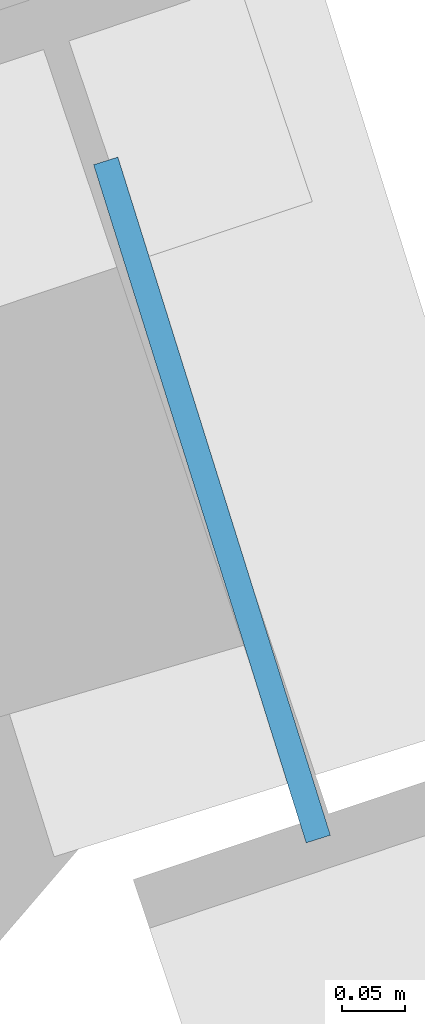
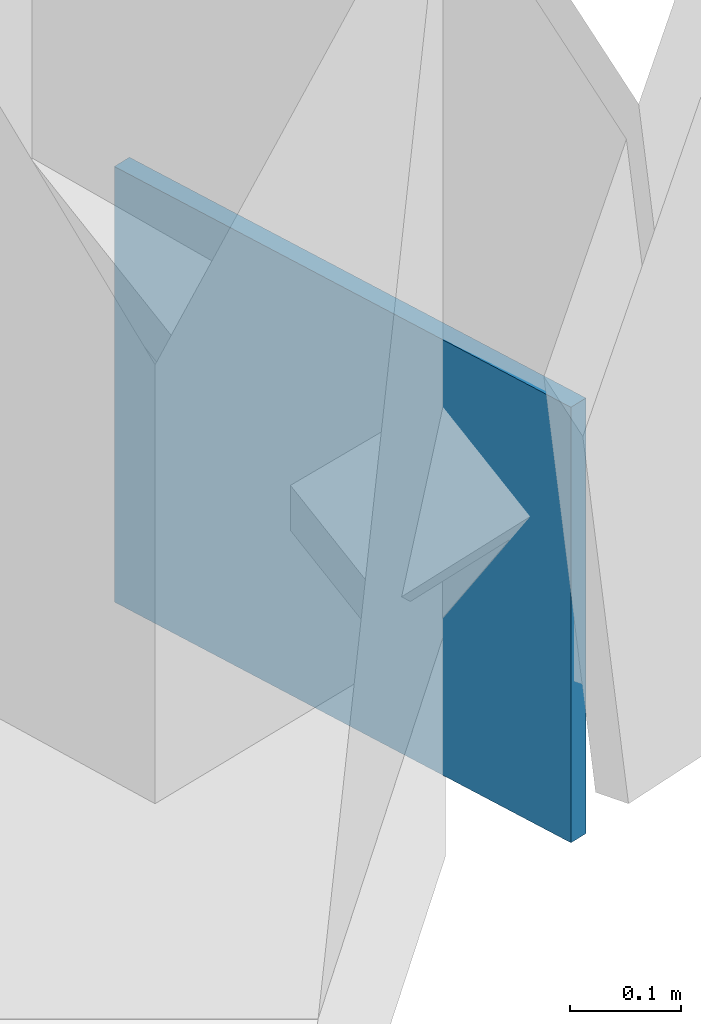
# One storey, part 10 of 19: 1 plate.
"""IFC4 building model written with IfcOpenShell, lengths in metres."""

from ifc_helpers import new_model, si_unit, direction, frame, origin, origin_2d, place, context, subcontext, project, spatial, rectangle, extrude, source, transform, mapped, material, type_object, element, save


model = new_model("IFC4")

# Units and contexts
model_context = context("Model", 3, precision=1e-05, world=origin(), true_north=direction((0.0, 1.0)))
body_context = subcontext(model_context, "Body", "Model", "MODEL_VIEW")
ifc_project = project(units=[si_unit("LENGTHUNIT", "METRE"), si_unit("AREAUNIT", "SQUARE_METRE"), si_unit("VOLUMEUNIT", "CUBIC_METRE"), si_unit("PLANEANGLEUNIT", "RADIAN"), si_unit("MASSUNIT", "GRAM", prefix="KILO")], contexts=[model_context])

# Site, building, storey
site_placement = place(None, origin())
site = spatial("IfcSite", under=ifc_project, at=site_placement, CompositionType="ELEMENT")
building_placement = place(site_placement, origin())
building = spatial("IfcBuilding", under=site, at=building_placement, Name="Olszyna Solenne Hotel", CompositionType="ELEMENT")
storey_placement = place(building_placement, frame((0.0, 0.0, 102.14990234375)))
storey = spatial("IfcBuildingStorey", under=building, at=storey_placement, Name="L26", CompositionType="ELEMENT", Elevation=102.14990234375)

# Plate
ifc_material = material(Name="Steel S355J2", Category="steel")
plate_type = type_object("IfcPlateType", Name="GP-ND2", PredefinedType="USERDEFINED", material=ifc_material)
shared_shape = source(origin(), body_context, "Body", "SweptSolid", [
    extrude(rectangle(XDim=0.56005859375, YDim=0.02001953125, at=origin_2d()), origin(), (0.0, 0.0, 1.0), 0.47998046875),
])
plate_placement = place(storey_placement, frame((67.376708984375, 33.3974609375, -0.153076171875), z_axis=(0.0, 0.0, 1.0), x_axis=(-0.299040792256, 0.954240328516, 0.0)))
element("IfcPlate", 1, at=plate_placement, inside=storey, type_object=plate_type, Name="Brace end connection gusset plate GP-ND2 EP-BR-L26-1-1", ObjectType="GUSSET_PLATE", PredefinedType="USERDEFINED", context=body_context, shape_type="MappedRepresentation", body=[
    mapped(shared_shape, transform((0.0, 0.0, 0.0), x_axis=(1.0, 0.0, 0.0), y_axis=(0.0, 1.0, 0.0), z_axis=(0.0, 0.0, 1.0), scale=1.0)),
])

save(model, "model.ifc")
